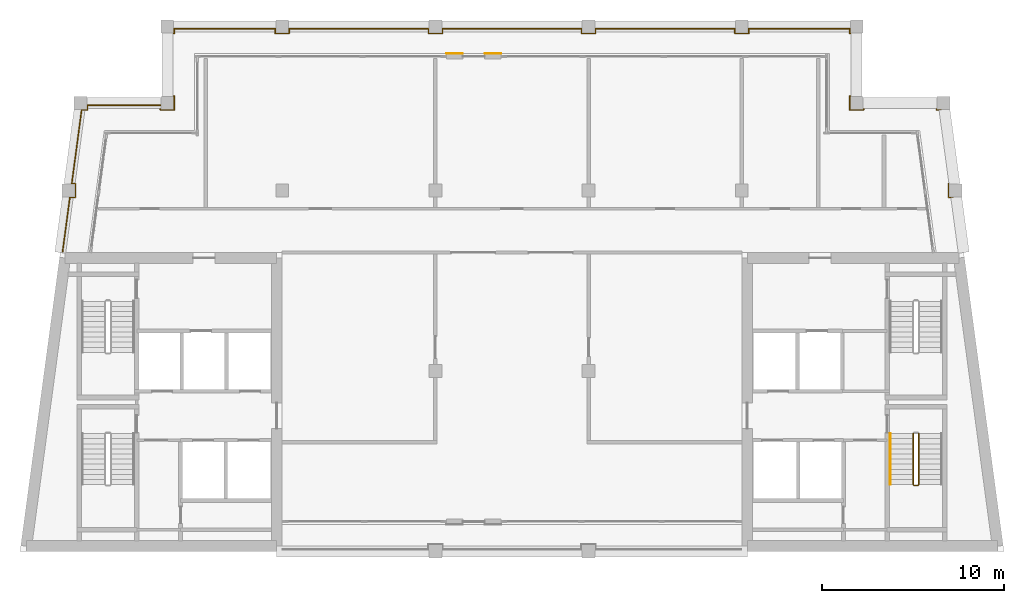
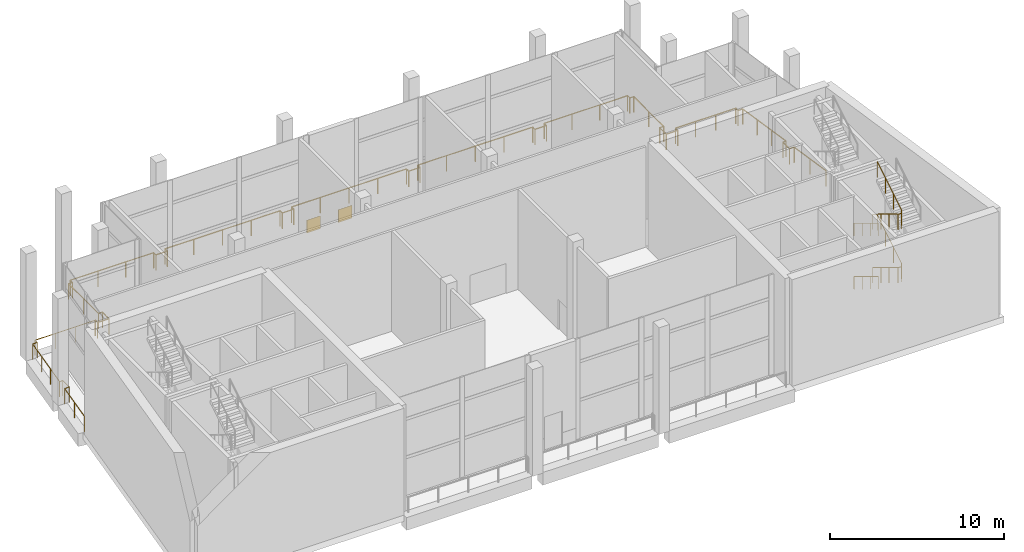
# One storey, part 8 of 9: 6 railings, 2 coverings.
"""IFC4 building model written with IfcOpenShell, lengths in metres."""

from ifc_helpers import new_model, si_unit, direction, frame, origin, origin_2d, place, context, subcontext, project, spatial, rectangle, circle, extrude, material, layer, layer_set, type_object, element, save


model = new_model("IFC4")

# Units and contexts
model_context = context("Model", 3, precision=1e-05, world=origin(), true_north=direction((0.0, 1.0)))
body_context = subcontext(model_context, "Body", "Model", "MODEL_VIEW")
ifc_project = project(units=[si_unit("LENGTHUNIT", "METRE"), si_unit("AREAUNIT", "SQUARE_METRE"), si_unit("VOLUMEUNIT", "CUBIC_METRE"), si_unit("PLANEANGLEUNIT", "RADIAN"), si_unit("MASSUNIT", "GRAM", prefix="KILO")], contexts=[model_context])

# Site, building, storey
site_placement = place(None, origin())
site = spatial("IfcSite", under=ifc_project, at=site_placement, CompositionType="ELEMENT")
building_placement = place(site_placement, origin())
building = spatial("IfcBuilding", under=site, at=building_placement, Name="Candeia Pilgrim Tower and Theatre", CompositionType="ELEMENT")
storey_placement = place(building_placement, frame((0.0, 0.0, 307.89990234375)))
storey = spatial("IfcBuildingStorey", under=building, at=storey_placement, Name="L75", CompositionType="ELEMENT", Elevation=307.89990234375)

# Railings
ifc_material_1 = material(Name="Stainless steel balustrade", Category="steel")
railing_type_1 = type_object("IfcRailingType", Name="G1 loggia guard 1100", PredefinedType="GUARDRAIL", material=ifc_material_1)
railing_1_placement = place(storey_placement, frame((94.1201171875, 140.47998046875, 0.0)))
element("IfcRailing", 1, at=railing_1_placement, inside=storey, type_object=railing_type_1, Name="Guard L75.1", PredefinedType="GUARDRAIL", context=body_context, shape_type="SweptSolid", body=[
    extrude(circle(Radius=0.02392578125, at=origin_2d()), frame((0.0, 0.0, 1.076171875), z_axis=(0.0, -1.0, 0.0), x_axis=(1.0, 0.0, 0.0)), (0.0, 0.0, 1.0), 0.260009765625),
    extrude(circle(Radius=0.02392578125, at=origin_2d()), frame((0.0, -0.260009765625, 1.076171875), z_axis=(1.0, 0.0, 0.0), x_axis=(0.0, 1.0, 0.0)), (0.0, 0.0, 1.0), 0.759765625),
    extrude(circle(Radius=0.02392578125, at=origin_2d()), frame((0.759765625, -0.260009765625, 1.076171875), z_axis=(0.0, 1.0, 0.0), x_axis=(-1.0, 0.0, 0.0)), (0.0, 0.0, 1.0), 0.760009765625),
    extrude(circle(Radius=0.02392578125, at=origin_2d()), frame((0.759765625, 0.5, 1.076171875), z_axis=(-1.0, 0.0, 0.0), x_axis=(0.0, -1.0, 0.0)), (0.0, 0.0, 1.0), 0.259765625),
    extrude(circle(Radius=0.02392578125, at=origin_2d()), frame((0.5, 0.5, 1.076171875), z_axis=(0.0, 1.0, 0.0), x_axis=(-1.0, 0.0, 0.0)), (0.0, 0.0, 1.0), 3.43994140625),
    extrude(circle(Radius=0.02392578125, at=origin_2d()), frame((0.5, 3.93994140625, 1.076171875), z_axis=(1.0, 0.0, 0.0), x_axis=(0.0, 1.0, 0.0)), (0.0, 0.0, 1.0), 0.259765625),
    extrude(circle(Radius=0.02392578125, at=origin_2d()), frame((0.759765625, 3.93994140625, 1.076171875), z_axis=(0.0, 1.0, 0.0), x_axis=(-1.0, 0.0, 0.0)), (0.0, 0.0, 1.0), 0.260009765625),
    extrude(circle(Radius=0.02392578125, at=origin_2d()), frame((0.759765625, 4.199951171875, 1.076171875), z_axis=(1.0, 0.0, 0.0), x_axis=(0.0, 1.0, 0.0)), (0.0, 0.0, 1.0), 5.5400390625),
    extrude(circle(Radius=0.02392578125, at=origin_2d()), frame((6.2998046875, 4.199951171875, 1.076171875), z_axis=(0.0, -1.0, 0.0), x_axis=(1.0, 0.0, 0.0)), (0.0, 0.0, 1.0), 0.260009765625),
    extrude(circle(Radius=0.02392578125, at=origin_2d()), frame((6.2998046875, 3.93994140625, 1.076171875), z_axis=(1.0, 0.0, 0.0), x_axis=(0.0, 1.0, 0.0)), (0.0, 0.0, 1.0), 0.760009765625),
    extrude(circle(Radius=0.02392578125, at=origin_2d()), frame((7.059814453125, 3.93994140625, 1.076171875), z_axis=(0.0, 1.0, 0.0), x_axis=(-1.0, 0.0, 0.0)), (0.0, 0.0, 1.0), 0.260009765625),
    extrude(circle(Radius=0.02392578125, at=origin_2d()), frame((7.059814453125, 4.199951171875, 1.076171875), z_axis=(1.0, 0.0, 0.0), x_axis=(0.0, 1.0, 0.0)), (0.0, 0.0, 1.0), 7.64013671875),
    extrude(circle(Radius=0.02392578125, at=origin_2d()), frame((14.699951171875, 4.199951171875, 1.076171875), z_axis=(0.0, -1.0, 0.0), x_axis=(1.0, 0.0, 0.0)), (0.0, 0.0, 1.0), 0.260009765625),
    extrude(circle(Radius=0.02392578125, at=origin_2d()), frame((14.699951171875, 3.93994140625, 1.076171875), z_axis=(1.0, 0.0, 0.0), x_axis=(0.0, 1.0, 0.0)), (0.0, 0.0, 1.0), 0.760009765625),
    extrude(circle(Radius=0.02392578125, at=origin_2d()), frame((15.4599609375, 3.93994140625, 1.076171875), z_axis=(0.0, 1.0, 0.0), x_axis=(-1.0, 0.0, 0.0)), (0.0, 0.0, 1.0), 0.260009765625),
    extrude(circle(Radius=0.02392578125, at=origin_2d()), frame((15.4599609375, 4.199951171875, 1.076171875), z_axis=(1.0, 0.0, 0.0), x_axis=(0.0, 1.0, 0.0)), (0.0, 0.0, 1.0), 7.639892578125),
    extrude(circle(Radius=0.02392578125, at=origin_2d()), frame((23.099853515625, 4.199951171875, 1.076171875), z_axis=(0.0, -1.0, 0.0), x_axis=(1.0, 0.0, 0.0)), (0.0, 0.0, 1.0), 0.260009765625),
    extrude(circle(Radius=0.02392578125, at=origin_2d()), frame((23.099853515625, 3.93994140625, 1.076171875), z_axis=(1.0, 0.0, 0.0), x_axis=(0.0, 1.0, 0.0)), (0.0, 0.0, 1.0), 0.760009765625),
    extrude(circle(Radius=0.02392578125, at=origin_2d()), frame((23.85986328125, 3.93994140625, 1.076171875), z_axis=(0.0, 1.0, 0.0), x_axis=(-1.0, 0.0, 0.0)), (0.0, 0.0, 1.0), 0.260009765625),
    extrude(circle(Radius=0.02392578125, at=origin_2d()), frame((23.85986328125, 4.199951171875, 1.076171875), z_axis=(1.0, 0.0, 0.0), x_axis=(0.0, 1.0, 0.0)), (0.0, 0.0, 1.0), 7.64013671875),
    extrude(circle(Radius=0.02392578125, at=origin_2d()), frame((31.5, 4.199951171875, 1.076171875), z_axis=(0.0, -1.0, 0.0), x_axis=(1.0, 0.0, 0.0)), (0.0, 0.0, 1.0), 0.260009765625),
    extrude(circle(Radius=0.02392578125, at=origin_2d()), frame((31.5, 3.93994140625, 1.076171875), z_axis=(1.0, 0.0, 0.0), x_axis=(0.0, 1.0, 0.0)), (0.0, 0.0, 1.0), 0.759765625),
    extrude(circle(Radius=0.02392578125, at=origin_2d()), frame((32.259765625, 3.93994140625, 1.076171875), z_axis=(0.0, 1.0, 0.0), x_axis=(-1.0, 0.0, 0.0)), (0.0, 0.0, 1.0), 0.260009765625),
    extrude(circle(Radius=0.02392578125, at=origin_2d()), frame((32.259765625, 4.199951171875, 1.076171875), z_axis=(1.0, 0.0, 0.0), x_axis=(0.0, 1.0, 0.0)), (0.0, 0.0, 1.0), 5.5400390625),
    extrude(circle(Radius=0.02392578125, at=origin_2d()), frame((37.7998046875, 4.199951171875, 1.076171875), z_axis=(0.0, -1.0, 0.0), x_axis=(1.0, 0.0, 0.0)), (0.0, 0.0, 1.0), 0.260009765625),
    extrude(circle(Radius=0.02392578125, at=origin_2d()), frame((37.7998046875, 3.93994140625, 1.076171875), z_axis=(1.0, 0.0, 0.0), x_axis=(0.0, 1.0, 0.0)), (0.0, 0.0, 1.0), 0.260009765625),
    extrude(circle(Radius=0.02392578125, at=origin_2d()), frame((38.059814453125, 3.93994140625, 1.076171875), z_axis=(0.0, -1.0, 0.0), x_axis=(1.0, 0.0, 0.0)), (0.0, 0.0, 1.0), 3.43994140625),
    extrude(circle(Radius=0.02392578125, at=origin_2d()), frame((38.059814453125, 0.5, 1.076171875), z_axis=(-1.0, 0.0, 0.0), x_axis=(0.0, -1.0, 0.0)), (0.0, 0.0, 1.0), 0.260009765625),
    extrude(circle(Radius=0.02392578125, at=origin_2d()), frame((37.7998046875, 0.5, 1.076171875), z_axis=(0.0, -1.0, 0.0), x_axis=(1.0, 0.0, 0.0)), (0.0, 0.0, 1.0), 0.760009765625),
    extrude(circle(Radius=0.02392578125, at=origin_2d()), frame((37.7998046875, -0.260009765625, 1.076171875), z_axis=(1.0, 0.0, 0.0), x_axis=(0.0, 1.0, 0.0)), (0.0, 0.0, 1.0), 0.760009765625),
    extrude(circle(Radius=0.02392578125, at=origin_2d()), frame((38.559814453125, -0.260009765625, 1.076171875), z_axis=(0.0, 1.0, 0.0), x_axis=(-1.0, 0.0, 0.0)), (0.0, 0.0, 1.0), 0.260009765625),
    extrude(circle(Radius=0.02392578125, at=origin_2d()), frame((38.559814453125, 0.0, 1.076171875), z_axis=(1.0, 0.0, 0.0), x_axis=(0.0, 1.0, 0.0)), (0.0, 0.0, 1.0), 4.00537109375),
    extrude(circle(Radius=0.02392578125, at=origin_2d()), frame((42.565185546875, 0.0, 1.076171875), z_axis=(0.0, -1.0, 0.0), x_axis=(1.0, 0.0, 0.0)), (0.0, 0.0, 1.0), 0.260009765625),
    extrude(circle(Radius=0.02392578125, at=origin_2d()), frame((42.565185546875, -0.260009765625, 1.076171875), z_axis=(1.0, 0.0, 0.0), x_axis=(0.0, 1.0, 0.0)), (0.0, 0.0, 1.0), 0.31005859375),
    extrude(circle(Radius=0.02392578125, at=origin_2d()), frame((42.875244140625, -0.260009765625, 1.076171875), z_axis=(0.133434636686, -0.991057615748, 0.0), x_axis=(0.991057615748, 0.133434636686, 0.0)), (0.0, 0.0, 1.0), 4.076416015625),
    extrude(circle(Radius=0.02392578125, at=origin_2d()), frame((43.419189453125, -4.300048828125, 1.076171875), z_axis=(-1.0, 0.0, 0.0), x_axis=(0.0, -1.0, 0.0)), (0.0, 0.0, 1.0), 0.207763671875),
    extrude(circle(Radius=0.02392578125, at=origin_2d()), frame((43.21142578125, -4.300048828125, 1.076171875), z_axis=(0.0, -1.0, 0.0), x_axis=(1.0, 0.0, 0.0)), (0.0, 0.0, 1.0), 0.760009765625),
    extrude(circle(Radius=0.02392578125, at=origin_2d()), frame((43.21142578125, -5.06005859375, 1.076171875), z_axis=(1.0, 0.0, 0.0), x_axis=(0.0, 1.0, 0.0)), (0.0, 0.0, 1.0), 0.31005859375),
    extrude(circle(Radius=0.02392578125, at=origin_2d()), frame((43.521484375, -5.06005859375, 1.076171875), z_axis=(0.133444326958, -0.991056311015, 0.0), x_axis=(0.991056311015, 0.133444326958, 0.0)), (0.0, 0.0, 1.0), 2.996826171875),
    extrude(circle(Radius=0.02099609375, at=origin_2d()), origin(), (0.0, 0.0, 1.0), 1.052001953125),
    extrude(circle(Radius=0.02099609375, at=origin_2d()), frame((0.0, -0.260009765625, 0.0)), (0.0, 0.0, 1.0), 1.052001953125),
    extrude(circle(Radius=0.02099609375, at=origin_2d()), frame((0.759765625, -0.260009765625, 0.0)), (0.0, 0.0, 1.0), 1.052001953125),
    extrude(circle(Radius=0.02099609375, at=origin_2d()), frame((0.759765625, 0.5, 0.0)), (0.0, 0.0, 1.0), 1.052001953125),
    extrude(circle(Radius=0.02099609375, at=origin_2d()), frame((0.5, 0.5, 0.0)), (0.0, 0.0, 1.0), 1.052001953125),
    extrude(circle(Radius=0.02099609375, at=origin_2d()), frame((0.5, 2.219970703125, 0.0)), (0.0, 0.0, 1.0), 1.052001953125),
    extrude(circle(Radius=0.02099609375, at=origin_2d()), frame((0.5, 3.93994140625, 0.0)), (0.0, 0.0, 1.0), 1.052001953125),
    extrude(circle(Radius=0.02099609375, at=origin_2d()), frame((0.759765625, 3.93994140625, 0.0)), (0.0, 0.0, 1.0), 1.052001953125),
    extrude(circle(Radius=0.02099609375, at=origin_2d()), frame((0.759765625, 4.199951171875, 0.0)), (0.0, 0.0, 1.0), 1.052001953125),
    extrude(circle(Radius=0.02099609375, at=origin_2d()), frame((2.6064453125, 4.199951171875, 0.0)), (0.0, 0.0, 1.0), 1.052001953125),
    extrude(circle(Radius=0.02099609375, at=origin_2d()), frame((4.453125, 4.199951171875, 0.0)), (0.0, 0.0, 1.0), 1.052001953125),
    extrude(circle(Radius=0.02099609375, at=origin_2d()), frame((6.2998046875, 4.199951171875, 0.0)), (0.0, 0.0, 1.0), 1.052001953125),
    extrude(circle(Radius=0.02099609375, at=origin_2d()), frame((6.2998046875, 3.93994140625, 0.0)), (0.0, 0.0, 1.0), 1.052001953125),
    extrude(circle(Radius=0.02099609375, at=origin_2d()), frame((7.059814453125, 3.93994140625, 0.0)), (0.0, 0.0, 1.0), 1.052001953125),
    extrude(circle(Radius=0.02099609375, at=origin_2d()), frame((7.059814453125, 4.199951171875, 0.0)), (0.0, 0.0, 1.0), 1.052001953125),
    extrude(circle(Radius=0.02099609375, at=origin_2d()), frame((8.9697265625, 4.199951171875, 0.0)), (0.0, 0.0, 1.0), 1.052001953125),
    extrude(circle(Radius=0.02099609375, at=origin_2d()), frame((10.8798828125, 4.199951171875, 0.0)), (0.0, 0.0, 1.0), 1.052001953125),
    extrude(circle(Radius=0.02099609375, at=origin_2d()), frame((12.7900390625, 4.199951171875, 0.0)), (0.0, 0.0, 1.0), 1.052001953125),
    extrude(circle(Radius=0.02099609375, at=origin_2d()), frame((14.699951171875, 4.199951171875, 0.0)), (0.0, 0.0, 1.0), 1.052001953125),
    extrude(circle(Radius=0.02099609375, at=origin_2d()), frame((14.699951171875, 3.93994140625, 0.0)), (0.0, 0.0, 1.0), 1.052001953125),
    extrude(circle(Radius=0.02099609375, at=origin_2d()), frame((15.4599609375, 3.93994140625, 0.0)), (0.0, 0.0, 1.0), 1.052001953125),
    extrude(circle(Radius=0.02099609375, at=origin_2d()), frame((15.4599609375, 4.199951171875, 0.0)), (0.0, 0.0, 1.0), 1.052001953125),
    extrude(circle(Radius=0.02099609375, at=origin_2d()), frame((17.369873046875, 4.199951171875, 0.0)), (0.0, 0.0, 1.0), 1.052001953125),
    extrude(circle(Radius=0.02099609375, at=origin_2d()), frame((19.27978515625, 4.199951171875, 0.0)), (0.0, 0.0, 1.0), 1.052001953125),
    extrude(circle(Radius=0.02099609375, at=origin_2d()), frame((21.18994140625, 4.199951171875, 0.0)), (0.0, 0.0, 1.0), 1.052001953125),
    extrude(circle(Radius=0.02099609375, at=origin_2d()), frame((23.099853515625, 4.199951171875, 0.0)), (0.0, 0.0, 1.0), 1.052001953125),
    extrude(circle(Radius=0.02099609375, at=origin_2d()), frame((23.099853515625, 3.93994140625, 0.0)), (0.0, 0.0, 1.0), 1.052001953125),
    extrude(circle(Radius=0.02099609375, at=origin_2d()), frame((23.85986328125, 3.93994140625, 0.0)), (0.0, 0.0, 1.0), 1.052001953125),
    extrude(circle(Radius=0.02099609375, at=origin_2d()), frame((23.85986328125, 4.199951171875, 0.0)), (0.0, 0.0, 1.0), 1.052001953125),
    extrude(circle(Radius=0.02099609375, at=origin_2d()), frame((25.77001953125, 4.199951171875, 0.0)), (0.0, 0.0, 1.0), 1.052001953125),
    extrude(circle(Radius=0.02099609375, at=origin_2d()), frame((27.679931640625, 4.199951171875, 0.0)), (0.0, 0.0, 1.0), 1.052001953125),
    extrude(circle(Radius=0.02099609375, at=origin_2d()), frame((29.58984375, 4.199951171875, 0.0)), (0.0, 0.0, 1.0), 1.052001953125),
    extrude(circle(Radius=0.02099609375, at=origin_2d()), frame((31.5, 4.199951171875, 0.0)), (0.0, 0.0, 1.0), 1.052001953125),
    extrude(circle(Radius=0.02099609375, at=origin_2d()), frame((31.5, 3.93994140625, 0.0)), (0.0, 0.0, 1.0), 1.052001953125),
    extrude(circle(Radius=0.02099609375, at=origin_2d()), frame((32.259765625, 3.93994140625, 0.0)), (0.0, 0.0, 1.0), 1.052001953125),
    extrude(circle(Radius=0.02099609375, at=origin_2d()), frame((32.259765625, 4.199951171875, 0.0)), (0.0, 0.0, 1.0), 1.052001953125),
    extrude(circle(Radius=0.02099609375, at=origin_2d()), frame((34.1064453125, 4.199951171875, 0.0)), (0.0, 0.0, 1.0), 1.052001953125),
    extrude(circle(Radius=0.02099609375, at=origin_2d()), frame((35.953125, 4.199951171875, 0.0)), (0.0, 0.0, 1.0), 1.052001953125),
    extrude(circle(Radius=0.02099609375, at=origin_2d()), frame((37.7998046875, 4.199951171875, 0.0)), (0.0, 0.0, 1.0), 1.052001953125),
    extrude(circle(Radius=0.02099609375, at=origin_2d()), frame((37.7998046875, 3.93994140625, 0.0)), (0.0, 0.0, 1.0), 1.052001953125),
    extrude(circle(Radius=0.02099609375, at=origin_2d()), frame((38.059814453125, 3.93994140625, 0.0)), (0.0, 0.0, 1.0), 1.052001953125),
    extrude(circle(Radius=0.02099609375, at=origin_2d()), frame((38.059814453125, 2.219970703125, 0.0)), (0.0, 0.0, 1.0), 1.052001953125),
    extrude(circle(Radius=0.02099609375, at=origin_2d()), frame((38.059814453125, 0.5, 0.0)), (0.0, 0.0, 1.0), 1.052001953125),
    extrude(circle(Radius=0.02099609375, at=origin_2d()), frame((37.7998046875, 0.5, 0.0)), (0.0, 0.0, 1.0), 1.052001953125),
    extrude(circle(Radius=0.02099609375, at=origin_2d()), frame((37.7998046875, -0.260009765625, 0.0)), (0.0, 0.0, 1.0), 1.052001953125),
    extrude(circle(Radius=0.02099609375, at=origin_2d()), frame((38.559814453125, -0.260009765625, 0.0)), (0.0, 0.0, 1.0), 1.052001953125),
    extrude(circle(Radius=0.02099609375, at=origin_2d()), frame((38.559814453125, 0.0, 0.0)), (0.0, 0.0, 1.0), 1.052001953125),
    extrude(circle(Radius=0.02099609375, at=origin_2d()), frame((39.89501953125, 0.0, 0.0)), (0.0, 0.0, 1.0), 1.052001953125),
    extrude(circle(Radius=0.02099609375, at=origin_2d()), frame((41.22998046875, 0.0, 0.0)), (0.0, 0.0, 1.0), 1.052001953125),
    extrude(circle(Radius=0.02099609375, at=origin_2d()), frame((42.565185546875, 0.0, 0.0)), (0.0, 0.0, 1.0), 1.052001953125),
    extrude(circle(Radius=0.02099609375, at=origin_2d()), frame((42.565185546875, -0.260009765625, 0.0)), (0.0, 0.0, 1.0), 1.052001953125),
    extrude(circle(Radius=0.02099609375, at=origin_2d()), frame((42.875244140625, -0.260009765625, 0.0)), (0.0, 0.0, 1.0), 1.052001953125),
    extrude(circle(Radius=0.02099609375, at=origin_2d()), frame((43.056640625, -1.606689453125, 0.0)), (0.0, 0.0, 1.0), 1.052001953125),
    extrude(circle(Radius=0.02099609375, at=origin_2d()), frame((43.23779296875, -2.953369140625, 0.0)), (0.0, 0.0, 1.0), 1.052001953125),
    extrude(circle(Radius=0.02099609375, at=origin_2d()), frame((43.419189453125, -4.300048828125, 0.0)), (0.0, 0.0, 1.0), 1.052001953125),
    extrude(circle(Radius=0.02099609375, at=origin_2d()), frame((43.21142578125, -4.300048828125, 0.0)), (0.0, 0.0, 1.0), 1.052001953125),
    extrude(circle(Radius=0.02099609375, at=origin_2d()), frame((43.21142578125, -5.06005859375, 0.0)), (0.0, 0.0, 1.0), 1.052001953125),
    extrude(circle(Radius=0.02099609375, at=origin_2d()), frame((43.521484375, -5.06005859375, 0.0)), (0.0, 0.0, 1.0), 1.052001953125),
    extrude(circle(Radius=0.02099609375, at=origin_2d()), frame((43.721435546875, -6.544921875, 0.0)), (0.0, 0.0, 1.0), 1.052001953125),
    extrude(circle(Radius=0.02099609375, at=origin_2d()), frame((43.92138671875, -8.030029296875, 0.0)), (0.0, 0.0, 1.0), 1.052001953125),
])
railing_2_placement = place(storey_placement, frame((88.758544921875, 132.449951171875, 0.0)))
element("IfcRailing", 2, at=railing_2_placement, inside=storey, type_object=railing_type_1, Name="Guard L75.3", PredefinedType="GUARDRAIL", context=body_context, shape_type="SweptSolid", body=[
    extrude(circle(Radius=0.02392578125, at=origin_2d()), frame((0.0, 0.0, 1.076171875), z_axis=(0.133444326958, 0.991056311015, 0.0), x_axis=(-0.991056311015, 0.133444326958, 0.0)), (0.0, 0.0, 1.0), 2.996826171875),
    extrude(circle(Radius=0.02392578125, at=origin_2d()), frame((0.39990234375, 2.969970703125, 1.076171875), z_axis=(1.0, 0.0, 0.0), x_axis=(0.0, 1.0, 0.0)), (0.0, 0.0, 1.0), 0.31005859375),
    extrude(circle(Radius=0.02392578125, at=origin_2d()), frame((0.7099609375, 2.969970703125, 1.076171875), z_axis=(0.0, 1.0, 0.0), x_axis=(-1.0, 0.0, 0.0)), (0.0, 0.0, 1.0), 0.760009765625),
    extrude(circle(Radius=0.02392578125, at=origin_2d()), frame((0.7099609375, 3.72998046875, 1.076171875), z_axis=(-1.0, 0.0, 0.0), x_axis=(0.0, -1.0, 0.0)), (0.0, 0.0, 1.0), 0.207763671875),
    extrude(circle(Radius=0.02392578125, at=origin_2d()), frame((0.502197265625, 3.72998046875, 1.076171875), z_axis=(0.133375812436, 0.991065533987, 0.0), x_axis=(-0.991065533987, 0.133375812436, 0.0)), (0.0, 0.0, 1.0), 4.076416015625),
    extrude(circle(Radius=0.02392578125, at=origin_2d()), frame((1.0458984375, 7.77001953125, 1.076171875), z_axis=(1.0, 0.0, 0.0), x_axis=(0.0, 1.0, 0.0)), (0.0, 0.0, 1.0), 0.31005859375),
    extrude(circle(Radius=0.02392578125, at=origin_2d()), frame((1.35595703125, 7.77001953125, 1.076171875), z_axis=(0.0, 1.0, 0.0), x_axis=(-1.0, 0.0, 0.0)), (0.0, 0.0, 1.0), 0.260009765625),
    extrude(circle(Radius=0.02392578125, at=origin_2d()), frame((1.35595703125, 8.030029296875, 1.076171875), z_axis=(1.0, 0.0, 0.0), x_axis=(0.0, 1.0, 0.0)), (0.0, 0.0, 1.0), 4.005615234375),
    extrude(circle(Radius=0.02099609375, at=origin_2d()), origin(), (0.0, 0.0, 1.0), 1.052001953125),
    extrude(circle(Radius=0.02099609375, at=origin_2d()), frame((0.199951171875, 1.48486328125, 0.0)), (0.0, 0.0, 1.0), 1.052001953125),
    extrude(circle(Radius=0.02099609375, at=origin_2d()), frame((0.39990234375, 2.969970703125, 0.0)), (0.0, 0.0, 1.0), 1.052001953125),
    extrude(circle(Radius=0.02099609375, at=origin_2d()), frame((0.7099609375, 2.969970703125, 0.0)), (0.0, 0.0, 1.0), 1.052001953125),
    extrude(circle(Radius=0.02099609375, at=origin_2d()), frame((0.7099609375, 3.72998046875, 0.0)), (0.0, 0.0, 1.0), 1.052001953125),
    extrude(circle(Radius=0.02099609375, at=origin_2d()), frame((0.502197265625, 3.72998046875, 0.0)), (0.0, 0.0, 1.0), 1.052001953125),
    extrude(circle(Radius=0.02099609375, at=origin_2d()), frame((0.683349609375, 5.07666015625, 0.0)), (0.0, 0.0, 1.0), 1.052001953125),
    extrude(circle(Radius=0.02099609375, at=origin_2d()), frame((0.86474609375, 6.42333984375, 0.0)), (0.0, 0.0, 1.0), 1.052001953125),
    extrude(circle(Radius=0.02099609375, at=origin_2d()), frame((1.0458984375, 7.77001953125, 0.0)), (0.0, 0.0, 1.0), 1.052001953125),
    extrude(circle(Radius=0.02099609375, at=origin_2d()), frame((1.35595703125, 7.77001953125, 0.0)), (0.0, 0.0, 1.0), 1.052001953125),
    extrude(circle(Radius=0.02099609375, at=origin_2d()), frame((1.35595703125, 8.030029296875, 0.0)), (0.0, 0.0, 1.0), 1.052001953125),
    extrude(circle(Radius=0.02099609375, at=origin_2d()), frame((2.691162109375, 8.030029296875, 0.0)), (0.0, 0.0, 1.0), 1.052001953125),
    extrude(circle(Radius=0.02099609375, at=origin_2d()), frame((4.0263671875, 8.030029296875, 0.0)), (0.0, 0.0, 1.0), 1.052001953125),
    extrude(circle(Radius=0.02099609375, at=origin_2d()), frame((5.361572265625, 8.030029296875, 0.0)), (0.0, 0.0, 1.0), 1.052001953125),
])

# Coverings
ifc_material_2 = material(Name="Glazed ceramic tile rust")
ifc_layer = layer(ifc_material_2, 0.02001953125)
ifc_layer_set = layer_set([ifc_layer], Name="Glazed ceramic tile rust")
covering_type = type_object("IfcCoveringType", Name="Glazed ceramic tile rust", PredefinedType="CLADDING", material=ifc_layer_set)
for number, where, z_axis, x_axis, name in (
    (3, (112.35009765625, 143.31005859375, 0.000244140625), (0.0, 0.0, 1.0), (-1.0, 0.0, 0.0), "Tile cladding rust L75"),
    (4, (110.25, 143.31005859375, 0.000244140625), (0.0, 0.0, 1.0), (-1.0, 0.0, 0.0), "Tile cladding rust L75"),
):
    element("IfcCovering", number, at=place(storey_placement, frame(where, z_axis=z_axis, x_axis=x_axis)), inside=storey, type_object=covering_type, Name=name, PredefinedType="CLADDING", context=body_context, shape_type="SweptSolid", body=[
        extrude(rectangle(XDim=0.89990234375, YDim=0.02001953125, at=origin_2d()), origin(), (0.0, 0.0, 1.0), 0.89990234375),
    ])

# Railings
railing_type_2 = type_object("IfcRailingType", Name="RL-GUARD-1100", PredefinedType="GUARDRAIL", material=ifc_material_1)
railing_3_placement = place(storey_placement, frame((135.39794921875, 122.47509765625, 0.170654296875)))
element("IfcRailing", 5, at=railing_3_placement, inside=storey, type_object=railing_type_2, Name="L75 ST3 stair guard 1", PredefinedType="GUARDRAIL", context=body_context, shape_type="SweptSolid", body=[
    extrude(circle(Radius=0.02392578125, at=origin_2d()), frame((0.0, 0.0, 1.076171875), z_axis=(0.0, -0.854202870247, 0.519939858505), x_axis=(1.0, 0.0, 0.0)), (0.0, 0.0, 1.0), 3.278076171875),
    extrude(circle(Radius=0.02392578125, at=origin_2d()), frame((0.0, -2.800048828125, 2.7802734375), z_axis=(0.707106781187, -0.707106781187, 0.0), x_axis=(0.707106781187, 0.707106781187, 0.0)), (0.0, 0.0, 1.0), 0.07080078125),
    extrude(circle(Radius=0.02392578125, at=origin_2d()), frame((0.050048828125, -2.85009765625, 2.7802734375), z_axis=(1.0, 0.0, 0.0), x_axis=(0.0, 1.0, 0.0)), (0.0, 0.0, 1.0), 0.199951171875),
    extrude(circle(Radius=0.02392578125, at=origin_2d()), frame((0.25, -2.85009765625, 2.7802734375), z_axis=(0.270899902878, 0.270899902878, 0.923702595667), x_axis=(-0.707106781187, 0.707106781187, 0.0)), (0.0, 0.0, 1.0), 0.184814453125),
    extrude(circle(Radius=0.02392578125, at=origin_2d()), frame((0.300048828125, -2.800048828125, 2.951171875), z_axis=(0.0, 0.854202870247, 0.519939858505), x_axis=(-1.0, 0.0, 0.0)), (0.0, 0.0, 1.0), 3.278076171875),
    extrude(circle(Radius=0.02099609375, at=origin_2d()), origin(), (0.0, 0.0, 1.0), 1.052001953125),
    extrude(circle(Radius=0.02099609375, at=origin_2d()), frame((0.0, -0.933349609375, 0.568115234375)), (0.0, 0.0, 1.0), 1.052001953125),
    extrude(circle(Radius=0.02099609375, at=origin_2d()), frame((0.0, -1.86669921875, 1.13623046875)), (0.0, 0.0, 1.0), 1.052001953125),
    extrude(circle(Radius=0.02099609375, at=origin_2d()), frame((0.0, -2.800048828125, 1.704345703125)), (0.0, 0.0, 1.0), 1.052001953125),
    extrude(circle(Radius=0.02099609375, at=origin_2d()), frame((0.050048828125, -2.85009765625, 1.704345703125)), (0.0, 0.0, 1.0), 1.052001953125),
    extrude(circle(Radius=0.02099609375, at=origin_2d()), frame((0.25, -2.85009765625, 1.704345703125)), (0.0, 0.0, 1.0), 1.052001953125),
    extrude(circle(Radius=0.02099609375, at=origin_2d()), frame((0.300048828125, -2.800048828125, 1.875)), (0.0, 0.0, 1.0), 1.052001953125),
    extrude(circle(Radius=0.02099609375, at=origin_2d()), frame((0.300048828125, -1.86669921875, 2.443115234375)), (0.0, 0.0, 1.0), 1.052001953125),
    extrude(circle(Radius=0.02099609375, at=origin_2d()), frame((0.300048828125, -0.933349609375, 3.01123046875)), (0.0, 0.0, 1.0), 1.052001953125),
    extrude(circle(Radius=0.02099609375, at=origin_2d()), frame((0.300048828125, 0.0, 3.579345703125)), (0.0, 0.0, 1.0), 1.052001953125),
])
railing_4_placement = place(storey_placement, frame((135.39794921875, 122.47509765625, 3.920654296875)))
element("IfcRailing", 6, at=railing_4_placement, inside=storey, type_object=railing_type_2, Name="L75 ST3 stair guard 3", PredefinedType="GUARDRAIL", context=body_context, shape_type="SweptSolid", body=[
    extrude(circle(Radius=0.02392578125, at=origin_2d()), frame((0.0, 0.0, 1.076171875), z_axis=(0.0, -0.854202870247, 0.519939858505), x_axis=(1.0, 0.0, 0.0)), (0.0, 0.0, 1.0), 3.278076171875),
    extrude(circle(Radius=0.02392578125, at=origin_2d()), frame((0.0, -2.800048828125, 2.7802734375), z_axis=(0.707106781187, -0.707106781187, 0.0), x_axis=(0.707106781187, 0.707106781187, 0.0)), (0.0, 0.0, 1.0), 0.07080078125),
    extrude(circle(Radius=0.02392578125, at=origin_2d()), frame((0.050048828125, -2.85009765625, 2.7802734375), z_axis=(1.0, 0.0, 0.0), x_axis=(0.0, 1.0, 0.0)), (0.0, 0.0, 1.0), 0.199951171875),
    extrude(circle(Radius=0.02392578125, at=origin_2d()), frame((0.25, -2.85009765625, 2.7802734375), z_axis=(0.270899902878, 0.270899902878, 0.923702595667), x_axis=(-0.707106781187, 0.707106781187, 0.0)), (0.0, 0.0, 1.0), 0.184814453125),
    extrude(circle(Radius=0.02392578125, at=origin_2d()), frame((0.300048828125, -2.800048828125, 2.951171875), z_axis=(0.0, 0.854202870247, 0.519939858505), x_axis=(-1.0, 0.0, 0.0)), (0.0, 0.0, 1.0), 3.278076171875),
    extrude(circle(Radius=0.02099609375, at=origin_2d()), origin(), (0.0, 0.0, 1.0), 1.052001953125),
    extrude(circle(Radius=0.02099609375, at=origin_2d()), frame((0.0, -0.933349609375, 0.568115234375)), (0.0, 0.0, 1.0), 1.052001953125),
    extrude(circle(Radius=0.02099609375, at=origin_2d()), frame((0.0, -1.86669921875, 1.13623046875)), (0.0, 0.0, 1.0), 1.052001953125),
    extrude(circle(Radius=0.02099609375, at=origin_2d()), frame((0.0, -2.800048828125, 1.704345703125)), (0.0, 0.0, 1.0), 1.052001953125),
    extrude(circle(Radius=0.02099609375, at=origin_2d()), frame((0.050048828125, -2.85009765625, 1.704345703125)), (0.0, 0.0, 1.0), 1.052001953125),
    extrude(circle(Radius=0.02099609375, at=origin_2d()), frame((0.25, -2.85009765625, 1.704345703125)), (0.0, 0.0, 1.0), 1.052001953125),
    extrude(circle(Radius=0.02099609375, at=origin_2d()), frame((0.300048828125, -2.800048828125, 1.875)), (0.0, 0.0, 1.0), 1.052001953125),
    extrude(circle(Radius=0.02099609375, at=origin_2d()), frame((0.300048828125, -1.86669921875, 2.443115234375)), (0.0, 0.0, 1.0), 1.052001953125),
    extrude(circle(Radius=0.02099609375, at=origin_2d()), frame((0.300048828125, -0.933349609375, 3.01123046875)), (0.0, 0.0, 1.0), 1.052001953125),
    extrude(circle(Radius=0.02099609375, at=origin_2d()), frame((0.300048828125, 0.0, 3.579345703125)), (0.0, 0.0, 1.0), 1.052001953125),
])
ifc_material_3 = material(Name="Stainless steel handrail", Category="steel")
railing_type_3 = type_object("IfcRailingType", Name="RL-HANDRAIL-900", PredefinedType="HANDRAIL", material=ifc_material_3)
for number, where, name in (
    (7, (134.14794921875, 122.47509765625, 0.170654296875), "L75 ST3 stair handrail 1"),
    (8, (134.14794921875, 122.47509765625, 3.920654296875), "L75 ST3 stair handrail 3"),
):
    element("IfcRailing", number, at=place(storey_placement, frame(where)), inside=storey, type_object=railing_type_3, Name=name, PredefinedType="HANDRAIL", context=body_context, shape_type="SweptSolid", body=[
        extrude(circle(Radius=0.02392578125, at=origin_2d()), frame((0.0, 0.0, 0.8759765625), z_axis=(0.0, -0.854202870247, 0.519939858505), x_axis=(1.0, 0.0, 0.0)), (0.0, 0.0, 1.0), 3.278076171875),
        extrude(circle(Radius=0.02099609375, at=origin_2d()), origin(), (0.0, 0.0, 1.0), 0.851806640625),
        extrude(circle(Radius=0.02099609375, at=origin_2d()), frame((0.0, -0.933349609375, 0.568115234375)), (0.0, 0.0, 1.0), 0.851806640625),
        extrude(circle(Radius=0.02099609375, at=origin_2d()), frame((0.0, -1.86669921875, 1.13623046875)), (0.0, 0.0, 1.0), 0.851806640625),
        extrude(circle(Radius=0.02099609375, at=origin_2d()), frame((0.0, -2.800048828125, 1.704345703125)), (0.0, 0.0, 1.0), 0.851806640625),
    ])

save(model, "model.ifc")
